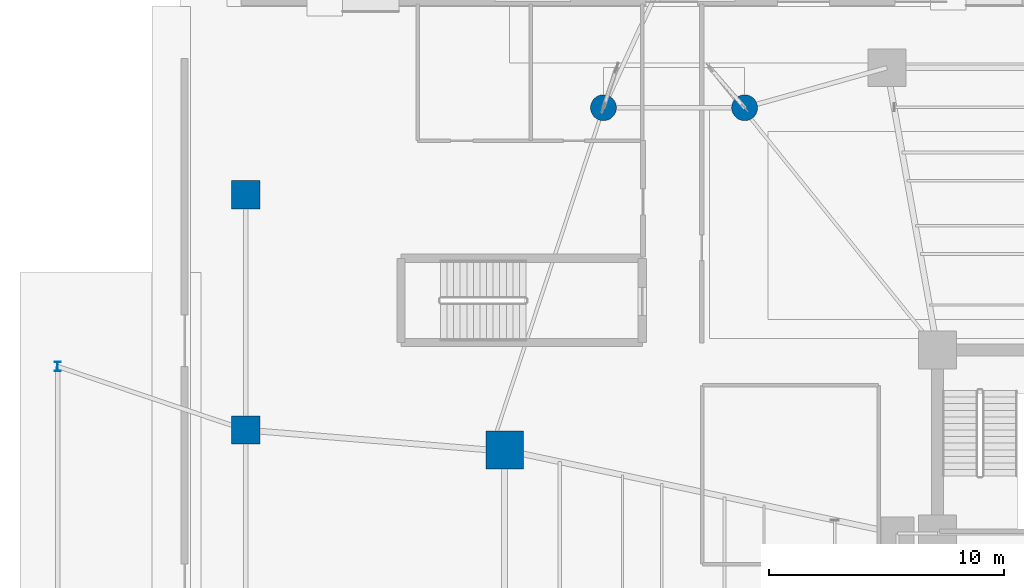
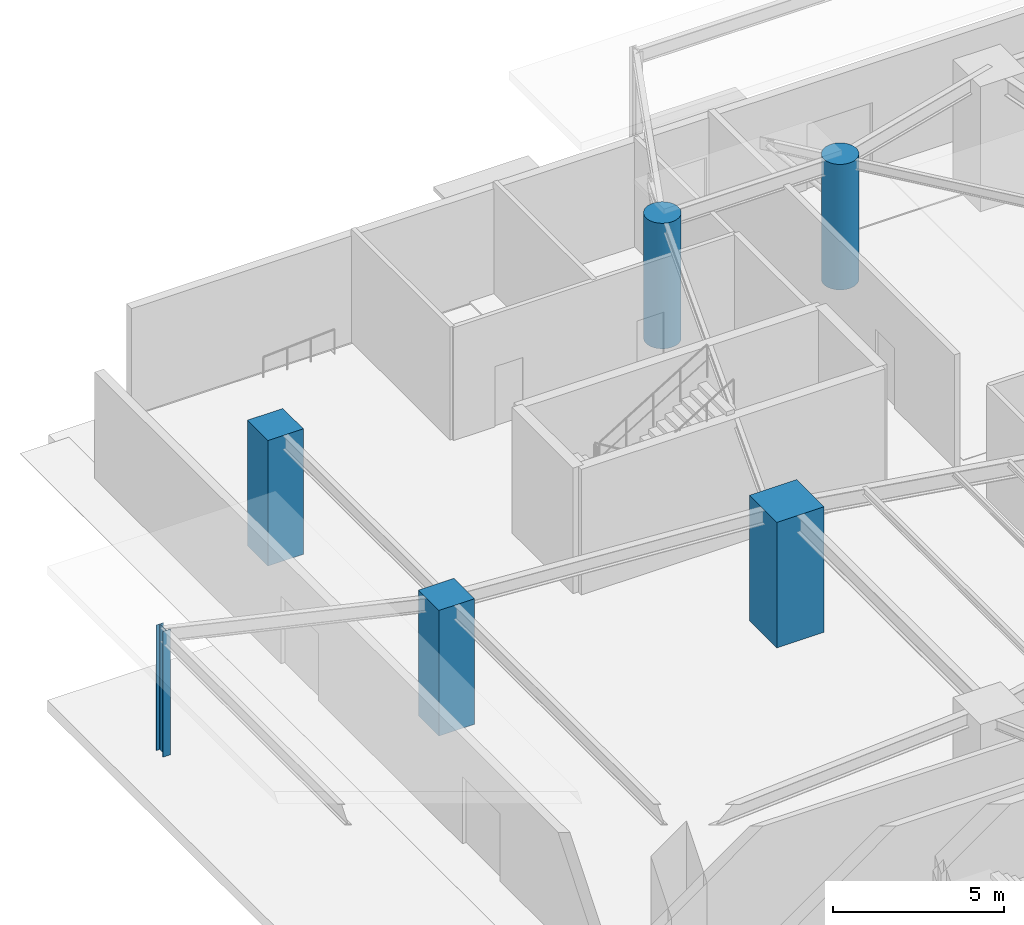
# One storey, part 5 of 31: 6 columns.
"""IFC4 building model written with IfcOpenShell, lengths in metres."""

import ifcopenshell
import ifcopenshell.guid

model = None  # the IFC model being written
_history = None  # IfcOwnerHistory: only IFC2X3 demands one
_inside = {}  # id of a spatial element -> (the spatial element, [elements in it])
_under = {}  # id of a project, library or spatial element -> (it, [spatial elements below it])
_declared = {}  # id of a project -> (the project, [libraries it declares])
_typed = {}  # id of a type object -> (the type object, [elements of that type])
_made_of = {}  # id of a material, layer set ... -> (it, [elements and type objects made of it])


def new_model(schema):
    """Start an empty IFC model of exactly this schema.

    Asked for "IFC4X3", IfcOpenShell would pick the latest addendum, in which some entities
    have other attributes; the version numbers below select the first issue.
    IFC2X3 requires an IfcOwnerHistory on every rooted entity: one is made here for all.
    """
    global model, _history
    if schema == "IFC4X3":
        model = ifcopenshell.file(schema_version=(4, 3, 0, 0))
    else:
        model = ifcopenshell.file(schema=schema)
    _inside.clear()
    _under.clear()
    _declared.clear()
    _typed.clear()
    _made_of.clear()
    _history = None
    if model.schema == "IFC2X3":
        org = make("IfcOrganization", Name="unknown")
        user = make(
            "IfcPersonAndOrganization",
            ThePerson=make("IfcPerson", FamilyName="unknown"),
            TheOrganization=org,
        )
        app = make(
            "IfcApplication",
            ApplicationDeveloper=org,
            Version="unknown",
            ApplicationFullName="unknown",
            ApplicationIdentifier="unknown",
        )
        _history = make(
            "IfcOwnerHistory",
            OwningUser=user,
            OwningApplication=app,
            ChangeAction="ADDED",
            CreationDate=0,
        )
    return model


def make(cls, **values):
    """One entity of the class cls with the attributes given. An attribute that is None is left unset."""
    return model.create_entity(
        cls, **{name: value for name, value in values.items() if value is not None}
    )


def rooted(cls, **values):
    """An entity with a GlobalId (a new one), such as an element, a storey or a relation."""
    return make(cls, GlobalId=ifcopenshell.guid.new(), OwnerHistory=_history, **values)


def si_unit(unit_type, name, prefix=None):
    """IfcSIUnit, for example si_unit("LENGTHUNIT", "METRE", prefix="MILLI")."""
    return make("IfcSIUnit", UnitType=unit_type, Prefix=prefix, Name=name)


def assignment(units):
    """IfcUnitAssignment: the units of a project."""
    return None if units is None else make("IfcUnitAssignment", Units=units)


def point(xyz):
    """IfcCartesianPoint."""
    return None if xyz is None else make("IfcCartesianPoint", Coordinates=xyz)


def direction(xyz):
    """IfcDirection."""
    return None if xyz is None else make("IfcDirection", DirectionRatios=xyz)


def frame(location, z_axis=None, x_axis=None):
    """IfcAxis2Placement3D, a coordinate frame: its origin and axes. An axis left out is left unset."""
    return make(
        "IfcAxis2Placement3D",
        Location=point(location),
        Axis=direction(z_axis),
        RefDirection=direction(x_axis),
    )


def frame_2d(location, x_axis=None):
    """IfcAxis2Placement2D, a coordinate frame in the plane: its origin and x axis."""
    return make(
        "IfcAxis2Placement2D", Location=point(location), RefDirection=direction(x_axis)
    )


def origin():
    """The frame at (0, 0, 0) with its axes left unset."""
    return frame((0.0, 0.0, 0.0))


def origin_2d():
    """The frame at (0, 0) in the plane with its x axis left unset."""
    return frame_2d((0.0, 0.0))


def place(relative_to, where):
    """IfcLocalPlacement: puts the frame where relative to a parent placement (None: the world)."""
    return make(
        "IfcLocalPlacement", PlacementRelTo=relative_to, RelativePlacement=where
    )


def context(
    kind, dimensions, precision=None, world=None, true_north=None, identifier=None
):
    """IfcGeometricRepresentationContext, for example the 3D "Model" context."""
    return make(
        "IfcGeometricRepresentationContext",
        ContextIdentifier=identifier,
        ContextType=kind,
        CoordinateSpaceDimension=dimensions,
        Precision=precision,
        WorldCoordinateSystem=world,
        TrueNorth=true_north,
    )


def subcontext(parent, identifier, kind, view, scale=None):
    """IfcGeometricRepresentationSubContext, for example "Body" below "Model"."""
    return make(
        "IfcGeometricRepresentationSubContext",
        ContextIdentifier=identifier,
        ContextType=kind,
        ParentContext=parent,
        TargetScale=scale,
        TargetView=view,
    )


def project(units=None, contexts=None):
    """IfcProject with its units and contexts."""
    return rooted(
        "IfcProject",
        Name="project",
        RepresentationContexts=contexts,
        UnitsInContext=assignment(units),
    )


def spatial(cls, under=None, at=None, **own):
    """A site, building, storey or space (cls), placed at a placement, below another one or the project."""
    s = rooted(cls, ObjectPlacement=at, **own)
    if under is not None:
        _under.setdefault(under.id(), (under, []))[1].append(s)
    return s


def profile(cls, at=None, kind="AREA", **sizes):
    """A parametric profile (cls). Its sizes go by their IFC names, for example OverallWidth=200.0."""
    return make(cls, ProfileType=kind, Position=at, **sizes)


def rectangle(**sizes):
    """IfcRectangleProfileDef."""
    return profile("IfcRectangleProfileDef", **sizes)


def circle(**sizes):
    """IfcCircleProfileDef."""
    return profile("IfcCircleProfileDef", **sizes)


def i_section(**sizes):
    """IfcIShapeProfileDef."""
    return profile("IfcIShapeProfileDef", **sizes)


def extrude(swept, where, along, depth):
    """IfcExtrudedAreaSolid: the profile swept, set in the frame where, extruded along a direction by depth."""
    return make(
        "IfcExtrudedAreaSolid",
        SweptArea=swept,
        Position=where,
        ExtrudedDirection=direction(along),
        Depth=depth,
    )


def shape(context_of_items, identifier, shape_type, items):
    """IfcShapeRepresentation: the items that make up one representation, for example the "Body"."""
    return make(
        "IfcShapeRepresentation",
        ContextOfItems=context_of_items,
        RepresentationIdentifier=identifier,
        RepresentationType=shape_type,
        Items=items,
    )


def source(mapping_origin, context_of_items, identifier, shape_type, items):
    """IfcRepresentationMap: a shape defined once, which mapped items show again and again."""
    return make(
        "IfcRepresentationMap",
        MappingOrigin=mapping_origin,
        MappedRepresentation=shape(context_of_items, identifier, shape_type, items),
    )


def transform(
    local_origin,
    x_axis=None,
    y_axis=None,
    z_axis=None,
    scale=None,
    scale2=None,
    scale3=None,
    uniform=True,
):
    """IfcCartesianTransformationOperator3D, or its non-uniform kind. x_axis, y_axis, z_axis: its Axis1, 2, 3."""
    if uniform:
        return make(
            "IfcCartesianTransformationOperator3D",
            Axis1=direction(x_axis),
            Axis2=direction(y_axis),
            LocalOrigin=point(local_origin),
            Scale=scale,
            Axis3=direction(z_axis),
        )
    return make(
        "IfcCartesianTransformationOperator3DnonUniform",
        Axis1=direction(x_axis),
        Axis2=direction(y_axis),
        LocalOrigin=point(local_origin),
        Scale=scale,
        Axis3=direction(z_axis),
        Scale2=scale2,
        Scale3=scale3,
    )


def mapped(mapping_source, mapping_target):
    """IfcMappedItem: shows the shape of a source again, moved by a transform."""
    return make(
        "IfcMappedItem", MappingSource=mapping_source, MappingTarget=mapping_target
    )


def material(Name=None, Category=None):
    """IfcMaterial."""
    return make("IfcMaterial", Name=Name, Category=Category)


def material_profile(
    of_material, cross_section, Name=None, Category=None, Priority=None
):
    """IfcMaterialProfile: a cross section and its material."""
    return make(
        "IfcMaterialProfile",
        Name=Name,
        Material=of_material,
        Profile=cross_section,
        Priority=Priority,
        Category=Category,
    )


def profile_set(profiles, Name=None, composite=None):
    """IfcMaterialProfileSet."""
    return make(
        "IfcMaterialProfileSet",
        Name=Name,
        MaterialProfiles=profiles,
        CompositeProfile=composite,
    )


def made_of(thing, what):
    """Note that an element or type object is made of a material, layer set ...; save() writes the relation."""
    if what is not None:
        _made_of.setdefault(what.id(), (what, []))[1].append(thing)
    return thing


def type_object(cls, material=None, **own):
    """A type object (cls), such as IfcWallType, which elements share."""
    return made_of(rooted(cls, **own), material)


def element(
    cls,
    number,
    at=None,
    inside=None,
    cuts=None,
    type_object=None,
    material=None,
    context=None,
    identifier="Body",
    shape_type=None,
    held_by="IfcProductDefinitionShape",
    body=None,
    shapes=None,
    **own,
):
    """One element of the class cls, such as IfcWall. Its Tag is "e" and its number.

    at: its placement. inside: the storey or other place that contains it. cuts: it is an
    opening in that element (IfcRelVoidsElement). A single representation is given by context,
    identifier, shape_type and body (its items); several are given by shapes. held_by: the class
    of the entity that holds the representations. save() writes the other relations.
    """
    e = rooted(cls, Tag="e%d" % number, ObjectPlacement=at, **own)
    if body is not None:
        shapes = [shape(context, identifier, shape_type, body)]
    if shapes is not None:
        e.Representation = make(held_by, Representations=shapes)
    if inside is not None:
        _inside.setdefault(inside.id(), (inside, []))[1].append(e)
    if cuts is not None:
        rooted(
            "IfcRelVoidsElement", RelatingBuildingElement=cuts, RelatedOpeningElement=e
        )
    if type_object is not None:
        _typed.setdefault(type_object.id(), (type_object, []))[1].append(e)
    return made_of(e, material)


def aggregate(whole, parts):
    """IfcRelAggregates: a whole, such as a stair, and the parts it consists of."""
    return rooted("IfcRelAggregates", RelatingObject=whole, RelatedObjects=parts)


def save(model, path):
    """Write the relations noted so far, then the file.

    IfcRelAggregates (storeys below a building ...), IfcRelContainedInSpatialStructure (elements
    in a storey), IfcRelDefinesByType, IfcRelAssociatesMaterial and IfcRelDeclares: one each for
    every whole, place, type object, material and project.
    """
    for whole, parts in _under.values():
        aggregate(whole, parts)
    for where, things in _inside.values():
        rooted(
            "IfcRelContainedInSpatialStructure",
            RelatedElements=things,
            RelatingStructure=where,
        )
    for kind, things in _typed.values():
        rooted("IfcRelDefinesByType", RelatedObjects=things, RelatingType=kind)
    for what, things in _made_of.values():
        rooted("IfcRelAssociatesMaterial", RelatedObjects=things, RelatingMaterial=what)
    for by, libraries in _declared.values():
        rooted("IfcRelDeclares", RelatingContext=by, RelatedDefinitions=libraries)
    model.write(path)


model = new_model("IFC4")

# Units and contexts
model_context = context("Model", 3, precision=1e-05, world=origin(), true_north=direction((0.0, 1.0)))
body_context = subcontext(model_context, "Body", "Model", "MODEL_VIEW")
ifc_project = project(units=[si_unit("LENGTHUNIT", "METRE"), si_unit("AREAUNIT", "SQUARE_METRE"), si_unit("VOLUMEUNIT", "CUBIC_METRE"), si_unit("PLANEANGLEUNIT", "RADIAN"), si_unit("MASSUNIT", "GRAM", prefix="KILO")], contexts=[model_context])

# Site, building, storey
site_placement = place(None, origin())
site = spatial("IfcSite", under=ifc_project, at=site_placement, CompositionType="ELEMENT")
building_placement = place(site_placement, origin())
building = spatial("IfcBuilding", under=site, at=building_placement, Name="Sahyath Konkavel Grand Hotel", CompositionType="ELEMENT")
storey_placement = place(building_placement, origin())
storey = spatial("IfcBuildingStorey", under=building, at=storey_placement, Name="L00", CompositionType="ELEMENT", Elevation=0.0)

# Columns
ifc_material_1 = material(Name="Concrete C70/85", Category="concrete")
ifc_material_profile_1 = material_profile(ifc_material_1, rectangle(XDim=1.60009765625, YDim=1.60009765625, at=origin_2d()), Name="RC 1600x1600")
ifc_profile_set_1 = profile_set([ifc_material_profile_1], Name="Concrete C70/85")
column_type_1 = type_object("IfcColumnType", Name="COL-RC1600", PredefinedType="COLUMN", material=ifc_profile_set_1)
shared_shape_1 = source(origin(), body_context, "Body", "SweptSolid", [
    extrude(rectangle(XDim=1.60009765625, YDim=1.60009765625, at=origin_2d()), origin(), (0.0, 0.0, 1.0), 4.47998046875),
])
column_1_placement = place(storey_placement, frame((-22.199951171875, 5.949951171875, 0.0), z_axis=(0.0, 0.0, 1.0), x_axis=(1.0, 0.0, 0.0)))
element("IfcColumn", 1, at=column_1_placement, inside=storey, type_object=column_type_1, Name="L00 Ballroom Mega-Column MC-WA", PredefinedType="COLUMN", context=body_context, shape_type="MappedRepresentation", body=[
    mapped(shared_shape_1, transform((0.0, 0.0, 0.0), scale=1.0)),
])
ifc_material_2 = material(Name="Concrete C50/60", Category="concrete")
ifc_material_profile_2 = material_profile(ifc_material_2, rectangle(XDim=1.199951171875, YDim=1.199951171875, at=origin_2d()), Name="RC 1200x1200")
ifc_profile_set_2 = profile_set([ifc_material_profile_2], Name="Concrete C50/60")
column_type_2 = type_object("IfcColumnType", Name="COL-RC1200", PredefinedType="COLUMN", material=ifc_profile_set_2)
shared_shape_2 = source(origin(), body_context, "Body", "SweptSolid", [
    extrude(rectangle(XDim=1.199951171875, YDim=1.199951171875, at=origin_2d()), origin(), (0.0, 0.0, 1.0), 4.47998046875),
])
for number, where, z_axis, x_axis, name in (
    (2, (-33.199951171875, 6.800048828125, 0.0), (0.0, 0.0, 1.0), (1.0, 0.0, 0.0), "L00 Podium Perimeter Column PC-W3"),
    (3, (-33.199951171875, 16.800048828125, 0.0), (0.0, 0.0, 1.0), (1.0, 0.0, 0.0), "L00 Podium Perimeter Column PC-W4"),
):
    element("IfcColumn", number, at=place(storey_placement, frame(where, z_axis=z_axis, x_axis=x_axis)), inside=storey, type_object=column_type_2, Name=name, PredefinedType="COLUMN", context=body_context, shape_type="MappedRepresentation", body=[
        mapped(shared_shape_2, transform((0.0, 0.0, 0.0), scale=1.0)),
    ])
ifc_material_profile_3 = material_profile(ifc_material_1, circle(Radius=0.550048828125, at=origin_2d()), Name="RC D1100")
ifc_profile_set_3 = profile_set([ifc_material_profile_3], Name="Concrete C70/85")
column_type_3 = type_object("IfcColumnType", Name="COL-RCD1100", PredefinedType="COLUMN", material=ifc_profile_set_3)
shared_shape_3 = source(origin(), body_context, "Body", "SweptSolid", [
    extrude(circle(Radius=0.550048828125, at=origin_2d()), origin(), (0.0, 0.0, 1.0), 4.47998046875),
])
for number, where, z_axis, x_axis, name in (
    (4, (-18.0, 20.5, 0.0), (0.0, 0.0, 1.0), (1.0, 0.0, 0.0), "L00 Sandstone Colonnade Pier CL-N1"),
    (5, (-12.0, 20.5, 0.0), (0.0, 0.0, 1.0), (1.0, 0.0, 0.0), "L00 Sandstone Colonnade Pier CL-N2"),
):
    element("IfcColumn", number, at=place(storey_placement, frame(where, z_axis=z_axis, x_axis=x_axis)), inside=storey, type_object=column_type_3, Name=name, PredefinedType="COLUMN", context=body_context, shape_type="MappedRepresentation", body=[
        mapped(shared_shape_3, transform((0.0, 0.0, 0.0), scale=1.0)),
    ])
ifc_material_3 = material(Name="Steel E350", Category="steel")
ifc_material_profile_4 = material_profile(ifc_material_3, i_section(OverallWidth=0.25, OverallDepth=0.39990234375, WebThickness=0.0126953125, FlangeThickness=0.0126953125, FilletRadius=0.013916015625, at=origin_2d()), Name="ISHB 400")
ifc_profile_set_4 = profile_set([ifc_material_profile_4], Name="Steel E350")
column_type_4 = type_object("IfcColumnType", Name="COL-ISHB400", PredefinedType="COLUMN", material=ifc_profile_set_4)
shared_shape_4 = source(origin(), body_context, "Body", "SweptSolid", [
    extrude(i_section(OverallWidth=0.25, OverallDepth=0.39990234375, WebThickness=0.0126953125, FlangeThickness=0.0126953125, FilletRadius=0.013916015625, at=origin_2d()), origin(), (0.0, 0.0, 1.0), 4.47998046875),
])
column_2_placement = place(storey_placement, frame((-41.199951171875, 9.5, 0.0), z_axis=(0.0, 0.0, 1.0), x_axis=(1.0, 0.0, 0.0)))
element("IfcColumn", 6, at=column_2_placement, inside=storey, type_object=column_type_4, Name="L00 Metro Portal Wing Column PW-W2", PredefinedType="COLUMN", context=body_context, shape_type="MappedRepresentation", body=[
    mapped(shared_shape_4, transform((0.0, 0.0, 0.0), scale=1.0)),
])

save(model, "model.ifc")
